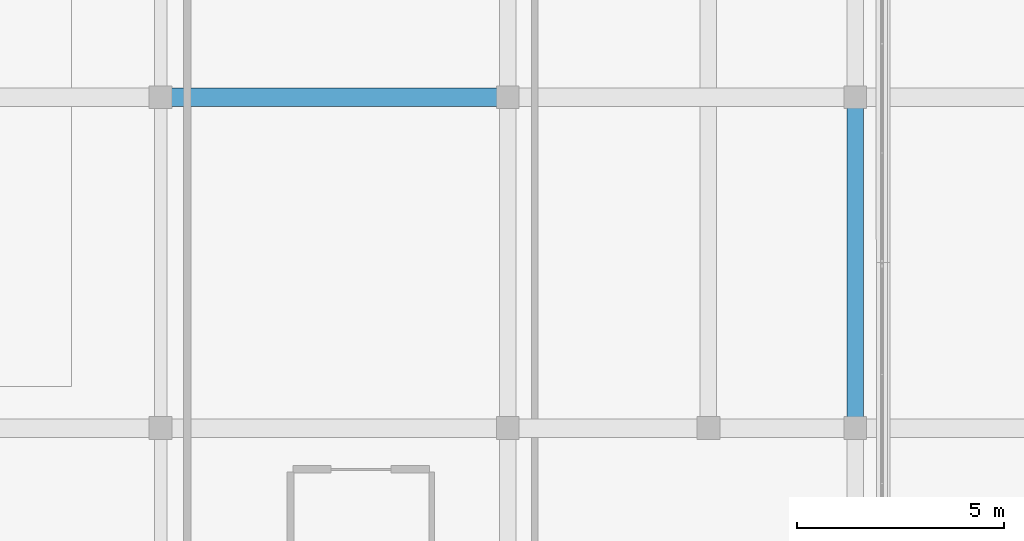
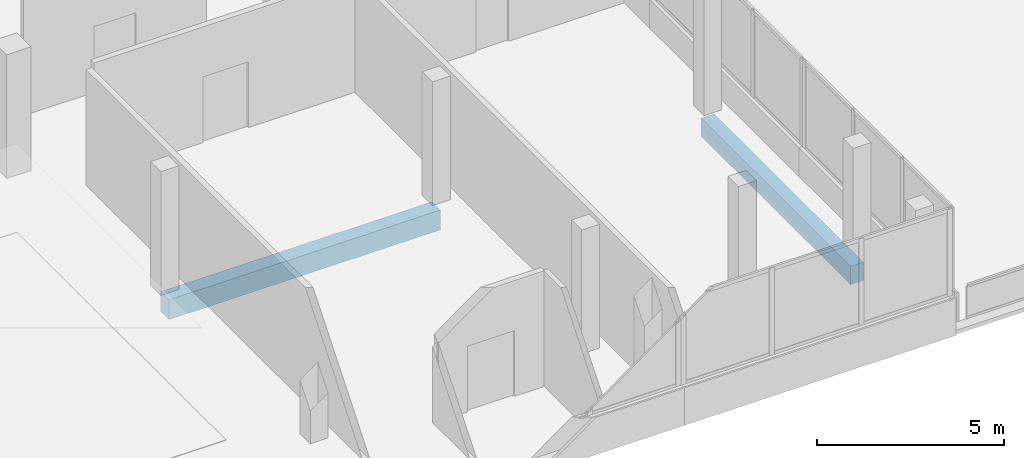
# One storey, part 40 of 66: 2 beams.
"""IFC4 building model written with IfcOpenShell, lengths in metres."""

from ifc_helpers import new_model, si_unit, direction, frame, origin, origin_2d, place, context, subcontext, project, spatial, rectangle, extrude, material, material_profile, profile_set, type_object, element, save


model = new_model("IFC4")

# Units and contexts
model_context = context("Model", 3, precision=1e-05, world=origin(), true_north=direction((0.0, 1.0)))
body_context = subcontext(model_context, "Body", "Model", "MODEL_VIEW")
ifc_project = project(units=[si_unit("LENGTHUNIT", "METRE"), si_unit("AREAUNIT", "SQUARE_METRE"), si_unit("VOLUMEUNIT", "CUBIC_METRE"), si_unit("PLANEANGLEUNIT", "RADIAN"), si_unit("MASSUNIT", "GRAM", prefix="KILO")], contexts=[model_context])

# Site, building, storey
site_placement = place(None, origin())
site = spatial("IfcSite", under=ifc_project, at=site_placement, CompositionType="ELEMENT")
building_placement = place(site_placement, origin())
building = spatial("IfcBuilding", under=site, at=building_placement, Name="Selatvlak General Hospital", CompositionType="ELEMENT")
storey_placement = place(building_placement, frame((0.0, 0.0, 31.35009765625)))
storey = spatial("IfcBuildingStorey", under=building, at=storey_placement, Name="L07", CompositionType="ELEMENT", Elevation=31.35009765625)

# Beams
ifc_material = material(Name="Concrete C40/50", Category="concrete")
ifc_material_profile_1 = material_profile(ifc_material, rectangle(XDim=0.449951171875, YDim=0.64990234375, at=origin_2d()), Name="RC-BM 450x650")
ifc_profile_set_1 = profile_set([ifc_material_profile_1], Name="Concrete C40/50")
beam_type_1 = type_object("IfcBeamType", Name="BM-G04", PredefinedType="BEAM", material=ifc_profile_set_1)
beam_1_placement = place(storey_placement, frame((148.14990234375, 100.0, -0.59521484375), z_axis=(1.0, 0.0, 0.0), x_axis=(0.0, 1.0, 0.0)))
element("IfcBeam", 1, at=beam_1_placement, inside=storey, type_object=beam_type_1, Name="Beam BMR-L07-2416", PredefinedType="BEAM", context=body_context, shape_type="SweptSolid", body=[
    extrude(rectangle(XDim=0.449951171875, YDim=0.64990234375, at=origin_2d()), origin(), (0.0, 0.0, 1.0), 8.400146484375),
])
ifc_material_profile_2 = material_profile(ifc_material, rectangle(XDim=0.39990234375, YDim=0.60009765625, at=origin_2d()), Name="RC-BM 400x600")
ifc_profile_set_2 = profile_set([ifc_material_profile_2], Name="Concrete C40/50")
beam_type_2 = type_object("IfcBeamType", Name="BM-G05", PredefinedType="BEAM", material=ifc_profile_set_2)
beam_2_placement = place(storey_placement, frame((164.949951171875, 92.0, -0.570068359375), z_axis=(0.0, 1.0, 0.0), x_axis=(-1.0, 0.0, 0.0)))
element("IfcBeam", 2, at=beam_2_placement, inside=storey, type_object=beam_type_2, Name="Beam BMR-L07-2537", PredefinedType="BEAM", context=body_context, shape_type="SweptSolid", body=[
    extrude(rectangle(XDim=0.39990234375, YDim=0.60009765625, at=origin_2d()), origin(), (0.0, 0.0, 1.0), 8.0),
])

save(model, "model.ifc")
